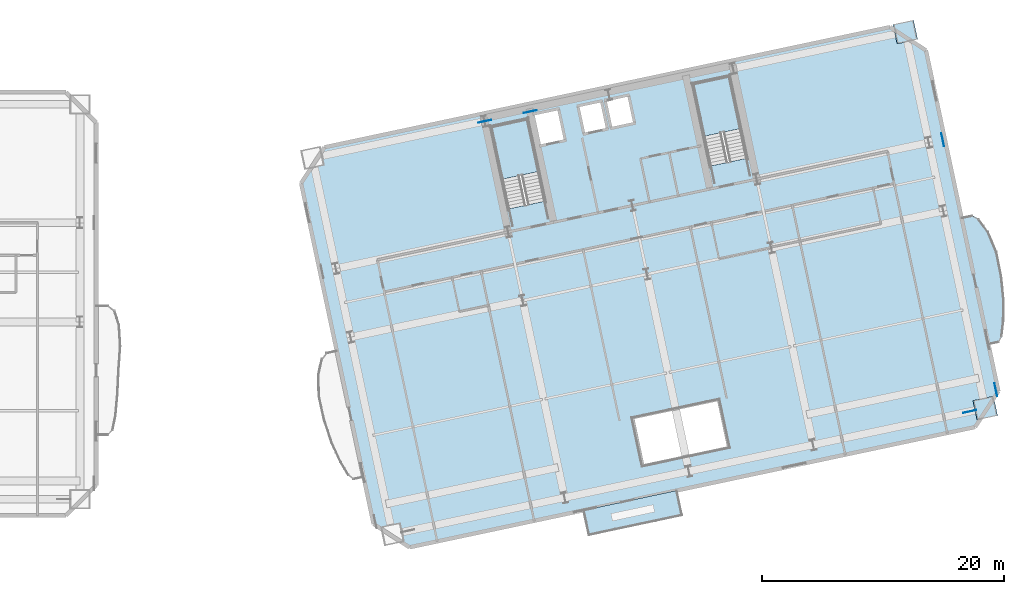
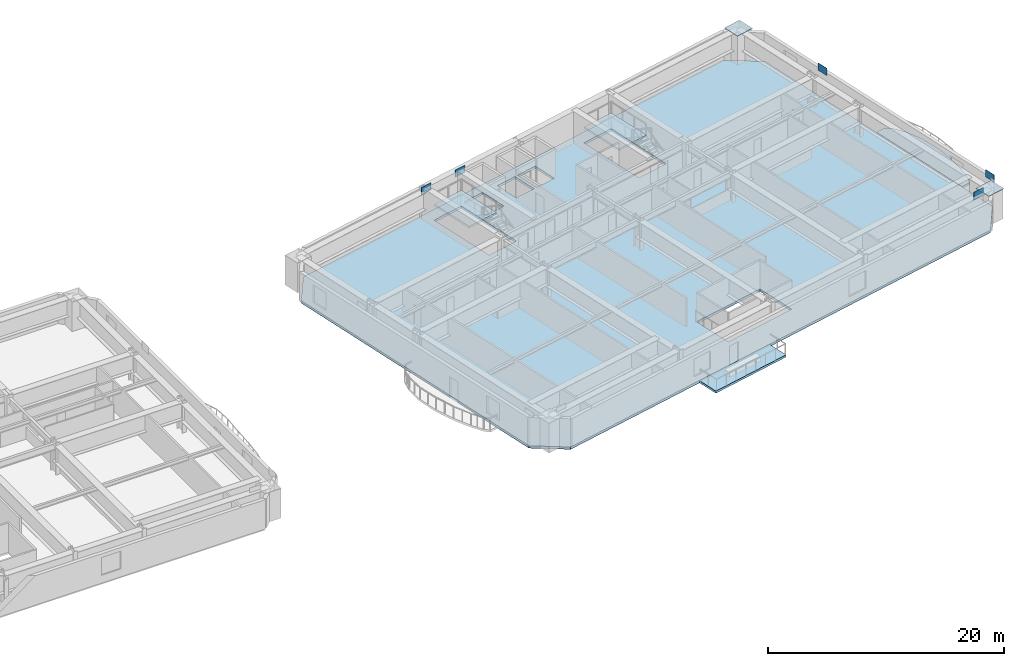
# One storey, part 6 of 18: 7 plates, 5 slabs, 2 elements without a shape of their own.
"""IFC4 building model written with IfcOpenShell, lengths in metres."""

from ifc_helpers import new_model, si_unit, direction, frame, origin, origin_2d, place, context, subcontext, project, spatial, polyline, rectangle, outline, extrude, material, layer, layer_set, type_object, element, aggregate, save


model = new_model("IFC4")

# Units and contexts
model_context = context("Model", 3, precision=1e-05, world=origin(), true_north=direction((0.0, 1.0)))
body_context = subcontext(model_context, "Body", "Model", "MODEL_VIEW")
ifc_project = project(units=[si_unit("LENGTHUNIT", "METRE"), si_unit("AREAUNIT", "SQUARE_METRE"), si_unit("VOLUMEUNIT", "CUBIC_METRE"), si_unit("PLANEANGLEUNIT", "RADIAN"), si_unit("MASSUNIT", "GRAM", prefix="KILO")], contexts=[model_context])

# Site, building, storey
site_placement = place(None, origin())
site = spatial("IfcSite", under=ifc_project, at=site_placement, CompositionType="ELEMENT")
building_placement = place(site_placement, origin())
building = spatial("IfcBuilding", under=site, at=building_placement, Name="Haevon Station Towers", CompositionType="ELEMENT")
storey_placement = place(building_placement, frame((0.0, 0.0, 47.10009765625)))
storey = spatial("IfcBuildingStorey", under=building, at=storey_placement, Name="L11", CompositionType="ELEMENT", Elevation=47.10009765625)

# Plates
ifc_material_1 = material(Name="PL-FLG1", Category="steel")
ifc_layer_1 = layer(ifc_material_1, 0.044921875)
ifc_layer_set_1 = layer_set([ifc_layer_1], Name="PL-FLG1")
plate_type_1 = type_object("IfcPlateType", Name="PL-FLG1", PredefinedType="USERDEFINED", material=ifc_layer_set_1)
for number, where, z_axis, x_axis, name in (
    (1, (138.193115234375, 22.874267578125, 3.0498046875), (0.0, 0.0, 1.0), (0.978147600734, 0.207911690818, 0.0), "PL-CAP-T2-L11-05-01"),
    (2, (131.58154296875, 53.979248046875, 3.0498046875), (0.0, 0.0, 1.0), (0.978147600734, 0.207911690818, 0.0), "PL-CAP-T2-L11-05-04"),
):
    element("IfcPlate", number, at=place(storey_placement, frame(where, z_axis=z_axis, x_axis=x_axis)), inside=storey, type_object=plate_type_1, Name=name, ObjectType="FLANGE_PLATE", PredefinedType="USERDEFINED", context=body_context, shape_type="SweptSolid", body=[
        extrude(rectangle(XDim=1.739990234375, YDim=1.639892578125, at=origin_2d()), origin(), (0.0, 0.0, 1.0), 0.0400390625),
    ])
ifc_material_2 = material(Name="PL-SPL1", Category="steel")
ifc_layer_2 = layer(ifc_material_2, 0.031982421875)
ifc_layer_set_2 = layer_set([ifc_layer_2], Name="PL-SPL1")
plate_type_2 = type_object("IfcPlateType", Name="PL-SPL1", PredefinedType="USERDEFINED", material=ifc_layer_set_2)
for number, where, z_axis, x_axis, name in (
    (3, (136.921630859375, 22.60400390625, 2.77490234375), (0.0, 0.0, 1.0), (0.978147600734, 0.207911690818, 0.0), "PL-T2SPL-T00-S-4"),
    (4, (96.808349609375, 46.588134765625, 2.77490234375), (0.0, 0.0, 1.0), (0.978147600734, 0.207911690818, 0.0), "PL-T2SPL-T00-N-3"),
    (5, (100.57421875, 47.388671875, 2.77490234375), (0.0, 0.0, 1.0), (0.978147600734, 0.207911690818, 0.0), "PL-T2SPL-T00-N-4"),
    (6, (139.0673828125, 24.38916015625, 2.77490234375), (0.0, 0.0, 1.0), (-0.207911690818, 0.978147600734, 0.0), "PL-T2SPL-T00-E-3"),
    (7, (134.669921875, 45.076904296875, 2.77490234375), (0.0, 0.0, 1.0), (-0.207911690818, 0.978147600734, 0.0), "PL-T2SPL-T00-E-4"),
):
    element("IfcPlate", number, at=place(storey_placement, frame(where, z_axis=z_axis, x_axis=x_axis)), inside=storey, type_object=plate_type_2, Name=name, ObjectType="SPLICE_PLATE", PredefinedType="USERDEFINED", context=body_context, shape_type="SweptSolid", body=[
        extrude(rectangle(XDim=1.10009765625, YDim=0.031982421875, at=origin_2d()), origin(), (0.0, 0.0, 1.0), 0.75),
    ])

# Slabs
ifc_material_3 = material(Name="Concrete C40/50", Category="concrete")
ifc_layer_3 = layer(ifc_material_3, 0.219970703125)
ifc_layer_set_3 = layer_set([ifc_layer_3], Name="Concrete C40/50")
slab_type_1 = type_object("IfcSlabType", Name="SL-BALC220", PredefinedType="FLOOR", material=ifc_layer_set_3)
slab_1_placement = place(storey_placement, frame((0.0, 0.0, -0.22021484375)))
element("IfcSlab", 8, at=slab_1_placement, inside=storey, type_object=slab_type_1, Name="Tower 2 L11 East SCALLOPED BALCONY", PredefinedType="FLOOR", context=body_context, shape_type="SweptSolid", body=[
    extrude(outline(polyline([(138.468505859375, 28.095703125), (139.300048828125, 28.2724609375), (139.54248046875, 28.744140625), (139.69921875, 29.97412109375), (139.739013671875, 31.773681640625), (139.575439453125, 33.8515625), (139.116943359375, 35.86669921875), (138.40283203125, 37.505859375), (137.627197265625, 38.537841796875), (137.054443359375, 38.83642578125), (136.22314453125, 38.65966796875), (138.468505859375, 28.095703125)])), origin(), (0.0, 0.0, 1.0), 0.22021484375),
])
slab_2_placement = place(storey_placement, frame((0.0, 0.0, -0.22021484375)))
element("IfcSlab", 9, at=slab_2_placement, inside=storey, type_object=slab_type_1, Name="Tower 2 L11 Planted Balcony Band", PredefinedType="FLOOR", context=body_context, shape_type="SweptSolid", body=[
    extrude(outline(polyline([(105.35986328125, 12.3681640625), (113.18505859375, 14.031494140625), (112.74951171875, 16.080810546875), (104.92431640625, 14.41748046875), (105.35986328125, 12.3681640625)])), origin(), (0.0, 0.0, 1.0), 0.22021484375),
])

# Stair, slab
stair_type = type_object("IfcStairType", Name="STR-DL1450", PredefinedType="USERDEFINED", material=ifc_material_3)
stair_1_placement = place(storey_placement, origin())
stair_1 = element("IfcStair", 10, at=stair_1_placement, inside=storey, type_object=stair_type, Name="L11 Escape Stair ST3", ObjectType="TWO_RETURN_STAIR", PredefinedType="USERDEFINED")
ifc_layer_4 = layer(ifc_material_3, 0.199951171875)
ifc_layer_set_4 = layer_set([ifc_layer_4], Name="Concrete C40/50")
slab_type_2 = type_object("IfcSlabType", Name="SL-LND200", PredefinedType="LANDING", material=ifc_layer_set_4)
slab_3_placement = place(storey_placement, frame((0.0, 0.0, 1.449951171875)))
slab_3 = element("IfcSlab", 11, at=slab_3_placement, type_object=slab_type_2, Name="L11 ST3 Half Landing 1", PredefinedType="LANDING", context=body_context, shape_type="SweptSolid", body=[
    extrude(outline(polyline([(101.2880859375, 42.44287109375), (100.36572265625, 46.781982421875), (97.33349609375, 46.137451171875), (98.255859375, 41.79833984375), (101.2880859375, 42.44287109375)])), origin(), (0.0, 0.0, 1.0), 0.199951171875),
])
aggregate(stair_1, [slab_3])

stair_2_placement = place(storey_placement, origin())
stair_2 = element("IfcStair", 12, at=stair_2_placement, inside=storey, type_object=stair_type, Name="L11 Escape Stair ST4", ObjectType="TWO_RETURN_STAIR", PredefinedType="USERDEFINED")
slab_4_placement = place(storey_placement, frame((0.0, 0.0, 1.449951171875)))
slab_4 = element("IfcSlab", 13, at=slab_4_placement, type_object=slab_type_2, Name="L11 ST4 Half Landing 1", PredefinedType="LANDING", context=body_context, shape_type="SweptSolid", body=[
    extrude(outline(polyline([(117.975341796875, 45.989990234375), (117.052978515625, 50.328857421875), (114.020751953125, 49.684326171875), (114.943115234375, 45.345458984375), (117.975341796875, 45.989990234375)])), origin(), (0.0, 0.0, 1.0), 0.199951171875),
])
aggregate(stair_2, [slab_4])

# Slab
ifc_layer_5 = layer(ifc_material_3, 0.25)
ifc_layer_set_5 = layer_set([ifc_layer_5], Name="Concrete C40/50")
slab_type_3 = type_object("IfcSlabType", Name="SL-TW250", PredefinedType="FLOOR", material=ifc_layer_set_5)
slab_5_placement = place(storey_placement, frame((0.0, 0.0, -0.25)))
element("IfcSlab", 14, at=slab_5_placement, inside=storey, type_object=slab_type_3, Name="SL-T2-L11", PredefinedType="FLOOR", context=body_context, shape_type="SweptSolid", body=[
    extrude(outline(polyline([(90.593505859375, 11.37646484375), (137.348876953125, 21.314697265625), (139.2744140625, 24.27978515625), (133.28662109375, 52.450439453125), (130.321533203125, 54.3759765625), (83.566162109375, 44.43798828125), (81.640380859375, 41.47265625), (87.62841796875, 13.302001953125), (90.593505859375, 11.37646484375)]), holes=[polyline([(101.8095703125, 39.98974609375), (100.36572265625, 46.781982421875), (97.33349609375, 46.137451171875), (98.77734375, 39.34521484375), (101.8095703125, 39.98974609375)]), polyline([(118.496826171875, 43.53662109375), (117.052978515625, 50.328857421875), (114.020751953125, 49.684326171875), (115.464599609375, 42.89208984375), (118.496826171875, 43.53662109375)]), polyline([(101.43212890625, 44.554931640625), (103.486328125, 44.99169921875), (102.9248046875, 47.632568359375), (100.870849609375, 47.196044921875), (101.43212890625, 44.554931640625)]), polyline([(105.009765625, 45.519775390625), (106.966064453125, 45.935791015625), (106.467041015625, 48.283203125), (104.5107421875, 47.867431640625), (105.009765625, 45.519775390625)]), polyline([(107.259521484375, 45.998046875), (109.2158203125, 46.413818359375), (108.716796875, 48.761474609375), (106.760498046875, 48.345703125), (107.259521484375, 45.998046875)]), polyline([(109.9091796875, 18.140380859375), (116.951904296875, 19.63720703125), (116.120361328125, 23.5498046875), (109.07763671875, 22.052978515625), (109.9091796875, 18.140380859375)])]), origin(), (0.0, 0.0, 1.0), 0.25),
])

save(model, "model.ifc")
